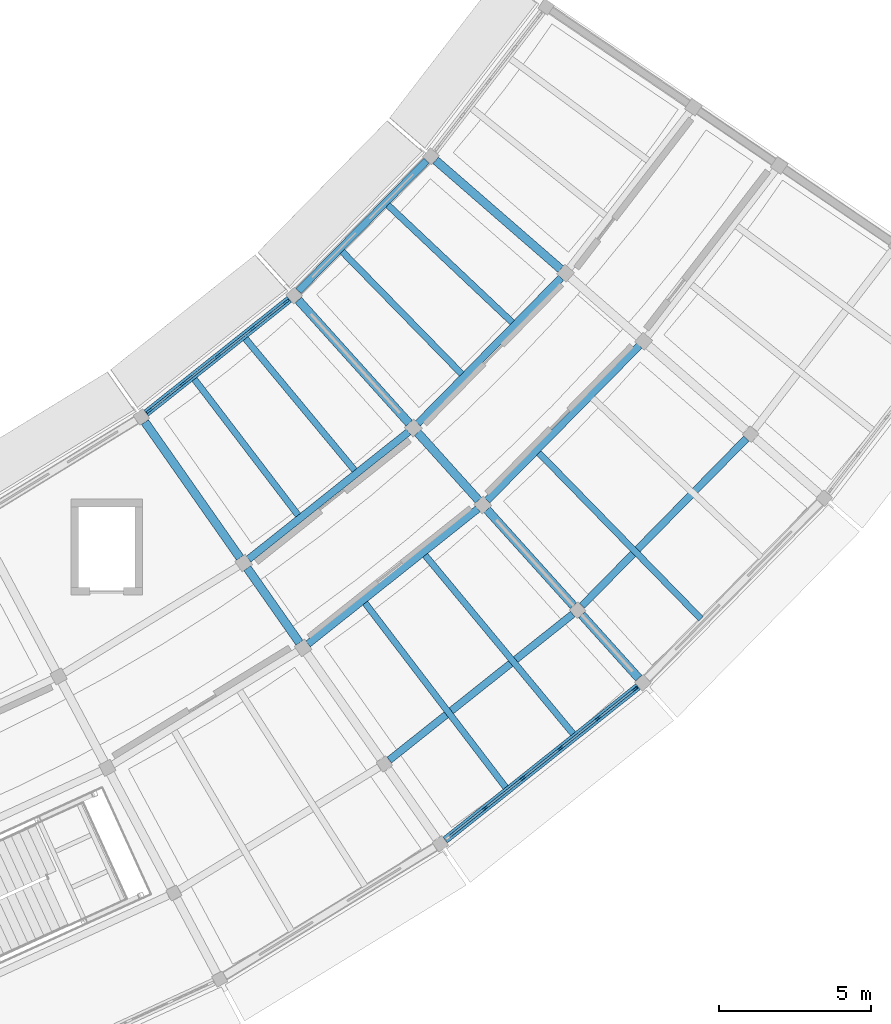
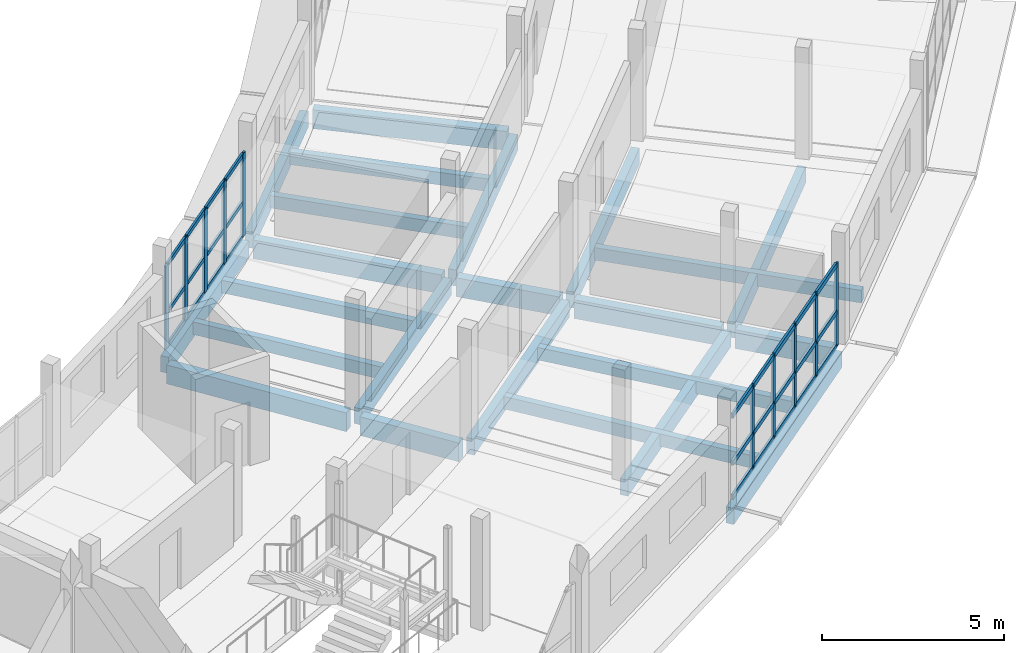
# One storey, part 31 of 77: 37 members, 23 beams, 2 elements without a shape of their own.
"""IFC4 building model written with IfcOpenShell, lengths in metres."""

from ifc_helpers import new_model, si_unit, direction, frame, origin, origin_2d, place, context, subcontext, project, spatial, rectangle, extrude, material, layer, layer_set, material_profile, profile_set, type_object, element, aggregate, save


model = new_model("IFC4")

# Units and contexts
model_context = context("Model", 3, precision=1e-05, world=origin(), true_north=direction((0.0, 1.0)))
body_context = subcontext(model_context, "Body", "Model", "MODEL_VIEW")
ifc_project = project(units=[si_unit("LENGTHUNIT", "METRE"), si_unit("AREAUNIT", "SQUARE_METRE"), si_unit("VOLUMEUNIT", "CUBIC_METRE"), si_unit("PLANEANGLEUNIT", "RADIAN"), si_unit("MASSUNIT", "GRAM", prefix="KILO")], contexts=[model_context])

# Site, building, storey
site_placement = place(None, origin())
site = spatial("IfcSite", under=ifc_project, at=site_placement, CompositionType="ELEMENT")
building_placement = place(site_placement, origin())
building = spatial("IfcBuilding", under=site, at=building_placement, Name="Caldaven Crescent School", CompositionType="ELEMENT")
storey_placement = place(building_placement, frame((0.0, 0.0, 4.419921875)))
storey = spatial("IfcBuildingStorey", under=building, at=storey_placement, Name="L01", CompositionType="ELEMENT", Elevation=4.419921875)

# Beams
ifc_material_1 = material(Name="Glulam MLE24h (GL28h)", Category="wood")
ifc_material_profile_1 = material_profile(ifc_material_1, rectangle(XDim=0.239990234375, YDim=0.5400390625, at=origin_2d()), Name="MLE 240x540")
ifc_profile_set_1 = profile_set([ifc_material_profile_1], Name="Glulam MLE24h (GL28h)")
beam_type_1 = type_object("IfcBeamType", Name="BM-GL54", PredefinedType="BEAM", material=ifc_profile_set_1)
beam_1_placement = place(storey_placement, frame((121.599853515625, 48.37109375, -0.489990234375), z_axis=(0.782609113445, 0.622513434034, 0.0), x_axis=(-0.622513434034, 0.782609113445, 0.0)))
element("IfcBeam", 1, at=beam_1_placement, inside=storey, type_object=beam_type_1, Name="BMT-V4E-L01-1109", PredefinedType="BEAM", context=body_context, shape_type="SweptSolid", body=[
    extrude(rectangle(XDim=0.239990234375, YDim=0.5400390625, at=origin_2d()), origin(), (0.0, 0.0, 1.0), 6.708251953125),
])
beam_2_placement = place(storey_placement, frame((123.550048828125, 45.5859375, -0.489990234375), z_axis=(0.782621166449, 0.622498280982, 0.0), x_axis=(-0.622498280982, 0.782621166449, 0.0)))
element("IfcBeam", 2, at=beam_2_placement, inside=storey, type_object=beam_type_1, Name="BMT-V4E-L01-1110", PredefinedType="BEAM", context=body_context, shape_type="SweptSolid", body=[
    extrude(rectangle(XDim=0.239990234375, YDim=0.5400390625, at=origin_2d()), origin(), (0.0, 0.0, 1.0), 7.12353515625),
])
beam_3_placement = place(storey_placement, frame((126.21728515625, 41.77685546875, -0.489990234375), z_axis=(0.782603163037, 0.622520914672, 0.0), x_axis=(-0.622520914672, 0.782603163037, 0.0)))
element("IfcBeam", 3, at=beam_3_placement, inside=storey, type_object=beam_type_1, Name="BMT-V4E-L01-1111", PredefinedType="BEAM", context=body_context, shape_type="SweptSolid", body=[
    extrude(rectangle(XDim=0.239990234375, YDim=0.5400390625, at=origin_2d()), origin(), (0.0, 0.0, 1.0), 7.691162109375),
])
beam_4_placement = place(storey_placement, frame((127.154052734375, 52.82080078125, -0.489990234375), z_axis=(0.700911097932, 0.713248647244, 0.0), x_axis=(-0.713248647244, 0.700911097932, 0.0)))
element("IfcBeam", 4, at=beam_4_placement, inside=storey, type_object=beam_type_1, Name="BMT-V4E-L01-1118", PredefinedType="BEAM", context=body_context, shape_type="SweptSolid", body=[
    extrude(rectangle(XDim=0.239990234375, YDim=0.5400390625, at=origin_2d()), origin(), (0.0, 0.0, 1.0), 6.708251953125),
])
beam_5_placement = place(storey_placement, frame((129.428955078125, 50.294189453125, -0.489990234375), z_axis=(0.700910785666, 0.713248954109, 0.0), x_axis=(-0.713248954109, 0.700910785666, 0.0)))
element("IfcBeam", 5, at=beam_5_placement, inside=storey, type_object=beam_type_1, Name="BMT-V4E-L01-1119", PredefinedType="BEAM", context=body_context, shape_type="SweptSolid", body=[
    extrude(rectangle(XDim=0.239990234375, YDim=0.5400390625, at=origin_2d()), origin(), (0.0, 0.0, 1.0), 7.12353515625),
])
beam_6_placement = place(storey_placement, frame((132.54052734375, 46.838623046875, -0.489990234375), z_axis=(0.700921782508, 0.713238147329, 0.0), x_axis=(-0.713238147329, 0.700921782508, 0.0)))
element("IfcBeam", 6, at=beam_6_placement, inside=storey, type_object=beam_type_1, Name="BMT-V4E-L01-1120", PredefinedType="BEAM", context=body_context, shape_type="SweptSolid", body=[
    extrude(rectangle(XDim=0.239990234375, YDim=0.5400390625, at=origin_2d()), origin(), (0.0, 0.0, 1.0), 7.691162109375),
])
ifc_material_profile_2 = material_profile(ifc_material_1, rectangle(XDim=0.280029296875, YDim=0.6298828125, at=origin_2d()), Name="MLE 280x630")
ifc_profile_set_2 = profile_set([ifc_material_profile_2], Name="Glulam MLE24h (GL28h)")
beam_type_2 = type_object("IfcBeamType", Name="BM-GL63", PredefinedType="BEAM", material=ifc_profile_set_2)
beam_7_placement = place(storey_placement, frame((118.20166015625, 52.867431640625, -0.534912109375), z_axis=(0.573600889357, -0.819134921566, 0.0), x_axis=(0.819134921566, 0.573600889357, 0.0)))
element("IfcBeam", 7, at=beam_7_placement, inside=storey, type_object=beam_type_2, Name="BMR-V4E-L01-1078", PredefinedType="BEAM", context=body_context, shape_type="SweptSolid", body=[
    extrude(rectangle(XDim=0.280029296875, YDim=0.6298828125, at=origin_2d()), origin(), (0.0, 0.0, 1.0), 5.43994140625),
])
beam_8_placement = place(storey_placement, frame((121.55712890625, 48.075439453125, -0.534912109375), z_axis=(0.573550025111, -0.819170537004, 0.0), x_axis=(0.819170537004, 0.573550025111, 0.0)))
element("IfcBeam", 8, at=beam_8_placement, inside=storey, type_object=beam_type_2, Name="BMR-V4E-L01-1079", PredefinedType="BEAM", context=body_context, shape_type="SweptSolid", body=[
    extrude(rectangle(XDim=0.280029296875, YDim=0.6298828125, at=origin_2d()), origin(), (0.0, 0.0, 1.0), 2.989990234375),
])
beam_9_placement = place(storey_placement, frame((123.233154296875, 56.86962890625, -0.534912109375), z_axis=(0.669111011515, -0.743162468286, 0.0), x_axis=(0.743162468286, 0.669111011515, 0.0)))
element("IfcBeam", 9, at=beam_9_placement, inside=storey, type_object=beam_type_2, Name="BMR-V4E-L01-1082", PredefinedType="BEAM", context=body_context, shape_type="SweptSolid", body=[
    extrude(rectangle(XDim=0.280029296875, YDim=0.6298828125, at=origin_2d()), origin(), (0.0, 0.0, 1.0), 5.43994140625),
])
beam_10_placement = place(storey_placement, frame((127.1474609375, 52.522216796875, -0.534912109375), z_axis=(0.669149671668, -0.743127658554, 0.0), x_axis=(0.743127658554, 0.669149671668, 0.0)))
element("IfcBeam", 10, at=beam_10_placement, inside=storey, type_object=beam_type_2, Name="BMR-V4E-L01-1083", PredefinedType="BEAM", context=body_context, shape_type="SweptSolid", body=[
    extrude(rectangle(XDim=0.280029296875, YDim=0.6298828125, at=origin_2d()), origin(), (0.0, 0.0, 1.0), 2.989990234375),
])
beam_11_placement = place(storey_placement, frame((129.422607421875, 49.99560546875, -0.534912109375), z_axis=(0.669142861987, -0.743133790277, 0.0), x_axis=(0.743133790277, 0.669142861987, 0.0)))
element("IfcBeam", 11, at=beam_11_placement, inside=storey, type_object=beam_type_2, Name="BMR-V4E-L01-1084", PredefinedType="BEAM", context=body_context, shape_type="SweptSolid", body=[
    extrude(rectangle(XDim=0.280029296875, YDim=0.6298828125, at=origin_2d()), origin(), (0.0, 0.0, 1.0), 4.239990234375),
])
beam_12_placement = place(storey_placement, frame((132.533935546875, 46.5400390625, -0.534912109375), z_axis=(0.669124249402, -0.743150549258, 0.0), x_axis=(0.743150549258, 0.669124249402, 0.0)))
element("IfcBeam", 12, at=beam_12_placement, inside=storey, type_object=beam_type_2, Name="BMR-V4E-L01-1085", PredefinedType="BEAM", context=body_context, shape_type="SweptSolid", body=[
    extrude(rectangle(XDim=0.280029296875, YDim=0.6298828125, at=origin_2d()), origin(), (0.0, 0.0, 1.0), 2.7900390625),
])
beam_13_placement = place(storey_placement, frame((127.7392578125, 61.455322265625, -0.534912109375), z_axis=(0.754705026579, -0.656064267322, 0.0), x_axis=(0.656064267322, 0.754705026579, 0.0)))
element("IfcBeam", 13, at=beam_13_placement, inside=storey, type_object=beam_type_2, Name="BMR-V4E-L01-1086", PredefinedType="BEAM", context=body_context, shape_type="SweptSolid", body=[
    extrude(rectangle(XDim=0.280029296875, YDim=0.6298828125, at=origin_2d()), origin(), (0.0, 0.0, 1.0), 5.440185546875),
])

# Curtain wall, members
ifc_material_2 = material(Name="Anodised aluminium AA 6063-T6 and low-E double glazing", Category="aluminium")
ifc_layer_1 = layer(ifc_material_2, 0.169921875)
ifc_layer_set_1 = layer_set([ifc_layer_1], Name="Anodised aluminium AA 6063-T6 and low-E double glazing")
curtain_wall_type_1 = type_object("IfcCurtainWallType", Name="CW-SYS1", PredefinedType="NOTDEFINED", material=ifc_layer_set_1)
curtain_wall_1_placement = place(storey_placement, origin())
curtain_wall_1 = element("IfcCurtainWall", 14, at=curtain_wall_1_placement, inside=storey, type_object=curtain_wall_type_1, Name="CW-L01-133", PredefinedType="NOTDEFINED")
ifc_material_3 = material(Name="Anodised aluminium AA 6063-T6", Category="aluminium")
ifc_material_profile_3 = material_profile(ifc_material_3, rectangle(XDim=0.06494140625, YDim=0.179931640625, at=origin_2d()), Name="CWM 65x180")
ifc_profile_set_3 = profile_set([ifc_material_profile_3], Name="Anodised aluminium AA 6063-T6")
member_type_1 = type_object("IfcMemberType", Name="CWM-T2", PredefinedType="MULLION", material=ifc_profile_set_3)
member_1_placement = place(storey_placement, frame((129.3623046875, 40.197265625, 0.0), z_axis=(0.0, 0.0, 1.0), x_axis=(-0.622514235279, 0.782608476107, 0.0)))
member_1 = element("IfcMember", 15, at=member_1_placement, type_object=member_type_1, Name="CW1 mullion 2", PredefinedType="MULLION", context=body_context, shape_type="SweptSolid", body=[
    extrude(rectangle(XDim=0.06494140625, YDim=0.179931640625, at=origin_2d()), origin(), (0.0, 0.0, 1.0), 2.780029296875),
])
member_2_placement = place(storey_placement, frame((130.597412109375, 41.179931640625, 0.0), z_axis=(0.0, 0.0, 1.0), x_axis=(-0.622514235279, 0.782608476107, 0.0)))
member_2 = element("IfcMember", 16, at=member_2_placement, type_object=member_type_1, Name="CW1 mullion 3", PredefinedType="MULLION", context=body_context, shape_type="SweptSolid", body=[
    extrude(rectangle(XDim=0.06494140625, YDim=0.179931640625, at=origin_2d()), origin(), (0.0, 0.0, 1.0), 2.780029296875),
])
member_3_placement = place(storey_placement, frame((131.832763671875, 42.162353515625, 0.0), z_axis=(0.0, 0.0, 1.0), x_axis=(-0.622514235279, 0.782608476107, 0.0)))
member_3 = element("IfcMember", 17, at=member_3_placement, type_object=member_type_1, Name="CW1 mullion 4", PredefinedType="MULLION", context=body_context, shape_type="SweptSolid", body=[
    extrude(rectangle(XDim=0.06494140625, YDim=0.179931640625, at=origin_2d()), origin(), (0.0, 0.0, 1.0), 2.780029296875),
])
member_4_placement = place(storey_placement, frame((133.068115234375, 43.14501953125, 0.0), z_axis=(0.0, 0.0, 1.0), x_axis=(-0.622514235279, 0.782608476107, 0.0)))
member_4 = element("IfcMember", 18, at=member_4_placement, type_object=member_type_1, Name="CW1 mullion 5", PredefinedType="MULLION", context=body_context, shape_type="SweptSolid", body=[
    extrude(rectangle(XDim=0.06494140625, YDim=0.179931640625, at=origin_2d()), origin(), (0.0, 0.0, 1.0), 2.780029296875),
])
member_5_placement = place(storey_placement, frame((134.27783203125, 44.107177734375, 0.0), z_axis=(0.0, 0.0, 1.0), x_axis=(-0.622514235279, 0.782608476107, 0.0)))
member_5 = element("IfcMember", 19, at=member_5_placement, type_object=member_type_1, Name="CW1 mullion 6", PredefinedType="MULLION", context=body_context, shape_type="SweptSolid", body=[
    extrude(rectangle(XDim=0.06494140625, YDim=0.179931640625, at=origin_2d()), origin(), (0.0, 0.0, 1.0), 2.780029296875),
])

ifc_layer_2 = layer(ifc_material_2, 0.2099609375)
ifc_layer_set_2 = layer_set([ifc_layer_2], Name="Anodised aluminium AA 6063-T6 and low-E double glazing")
curtain_wall_type_2 = type_object("IfcCurtainWallType", Name="CW-SYS3", PredefinedType="NOTDEFINED", material=ifc_layer_set_2)
curtain_wall_2_placement = place(storey_placement, origin())
curtain_wall_2 = element("IfcCurtainWall", 20, at=curtain_wall_2_placement, inside=storey, type_object=curtain_wall_type_2, Name="CW-L01-132", PredefinedType="NOTDEFINED")
ifc_material_profile_4 = material_profile(ifc_material_3, rectangle(XDim=0.070068359375, YDim=0.2099609375, at=origin_2d()), Name="CWM 70x210")
ifc_profile_set_4 = profile_set([ifc_material_profile_4], Name="Anodised aluminium AA 6063-T6")
member_type_2 = type_object("IfcMemberType", Name="CWM-T3", PredefinedType="MULLION", material=ifc_profile_set_4)
member_6_placement = place(storey_placement, frame((118.34619140625, 53.243896484375, 0.0), z_axis=(0.0, 0.0, 1.0), x_axis=(-0.622514764063, 0.782608055493, 0.0)))
member_6 = element("IfcMember", 21, at=member_6_placement, type_object=member_type_2, Name="CW3 mullion 1", PredefinedType="MULLION", context=body_context, shape_type="SweptSolid", body=[
    extrude(rectangle(XDim=0.070068359375, YDim=0.2099609375, at=origin_2d()), origin(), (0.0, 0.0, 1.0), 2.780029296875),
])
member_7_placement = place(storey_placement, frame((119.454345703125, 54.12548828125, 0.0), z_axis=(0.0, 0.0, 1.0), x_axis=(-0.622514764063, 0.782608055493, 0.0)))
member_7 = element("IfcMember", 22, at=member_7_placement, type_object=member_type_2, Name="CW3 mullion 2", PredefinedType="MULLION", context=body_context, shape_type="SweptSolid", body=[
    extrude(rectangle(XDim=0.070068359375, YDim=0.2099609375, at=origin_2d()), origin(), (0.0, 0.0, 1.0), 2.780029296875),
])
member_8_placement = place(storey_placement, frame((120.590087890625, 55.02880859375, 0.0), z_axis=(0.0, 0.0, 1.0), x_axis=(-0.622514764063, 0.782608055493, 0.0)))
member_8 = element("IfcMember", 23, at=member_8_placement, type_object=member_type_2, Name="CW3 mullion 3", PredefinedType="MULLION", context=body_context, shape_type="SweptSolid", body=[
    extrude(rectangle(XDim=0.070068359375, YDim=0.2099609375, at=origin_2d()), origin(), (0.0, 0.0, 1.0), 2.780029296875),
])
member_9_placement = place(storey_placement, frame((121.7255859375, 55.93212890625, 0.0), z_axis=(0.0, 0.0, 1.0), x_axis=(-0.622514764063, 0.782608055493, 0.0)))
member_9 = element("IfcMember", 24, at=member_9_placement, type_object=member_type_2, Name="CW3 mullion 4", PredefinedType="MULLION", context=body_context, shape_type="SweptSolid", body=[
    extrude(rectangle(XDim=0.070068359375, YDim=0.2099609375, at=origin_2d()), origin(), (0.0, 0.0, 1.0), 2.780029296875),
])
member_10_placement = place(storey_placement, frame((122.833740234375, 56.8134765625, 0.0), z_axis=(0.0, 0.0, 1.0), x_axis=(-0.622514764063, 0.782608055493, 0.0)))
member_10 = element("IfcMember", 25, at=member_10_placement, type_object=member_type_2, Name="CW3 mullion 5", PredefinedType="MULLION", context=body_context, shape_type="SweptSolid", body=[
    extrude(rectangle(XDim=0.070068359375, YDim=0.2099609375, at=origin_2d()), origin(), (0.0, 0.0, 1.0), 2.780029296875),
])
ifc_material_profile_5 = material_profile(ifc_material_3, rectangle(XDim=0.06494140625, YDim=0.139892578125, at=origin_2d()), Name="CWT 65x140")
ifc_profile_set_5 = profile_set([ifc_material_profile_5], Name="Anodised aluminium AA 6063-T6")
member_type_3 = type_object("IfcMemberType", Name="CWT-T2", PredefinedType="USERDEFINED", material=ifc_profile_set_5)
member_11_placement = place(storey_placement, frame((118.37353515625, 53.265869140625, 0.032470703125), z_axis=(0.78263519359, 0.622480645284, 0.0), x_axis=(-0.622480645284, 0.78263519359, 0.0)))
member_11 = element("IfcMember", 26, at=member_11_placement, type_object=member_type_3, Name="CW3 transom 1.1", ObjectType="TRANSOM", PredefinedType="USERDEFINED", context=body_context, shape_type="SweptSolid", body=[
    extrude(rectangle(XDim=0.06494140625, YDim=0.139892578125, at=origin_2d()), origin(), (0.0, 0.0, 1.0), 1.345947265625),
])
member_12_placement = place(storey_placement, frame((118.37353515625, 53.265869140625, 1.16796875), z_axis=(0.78263519359, 0.622480645284, 0.0), x_axis=(-0.622480645284, 0.78263519359, 0.0)))
member_12 = element("IfcMember", 27, at=member_12_placement, type_object=member_type_3, Name="CW3 transom 1.2", ObjectType="TRANSOM", PredefinedType="USERDEFINED", context=body_context, shape_type="SweptSolid", body=[
    extrude(rectangle(XDim=0.06494140625, YDim=0.139892578125, at=origin_2d()), origin(), (0.0, 0.0, 1.0), 1.345947265625),
])
member_13_placement = place(storey_placement, frame((118.37353515625, 53.265869140625, 2.74755859375), z_axis=(0.78263519359, 0.622480645284, 0.0), x_axis=(-0.622480645284, 0.78263519359, 0.0)))
member_13 = element("IfcMember", 28, at=member_13_placement, type_object=member_type_3, Name="CW3 transom 1.3", ObjectType="TRANSOM", PredefinedType="USERDEFINED", context=body_context, shape_type="SweptSolid", body=[
    extrude(rectangle(XDim=0.06494140625, YDim=0.139892578125, at=origin_2d()), origin(), (0.0, 0.0, 1.0), 1.345947265625),
])
member_14_placement = place(storey_placement, frame((119.48193359375, 54.147216796875, 0.032470703125), z_axis=(0.782487504126, 0.622666287739, 0.0), x_axis=(-0.622666287739, 0.782487504126, 0.0)))
member_14 = element("IfcMember", 29, at=member_14_placement, type_object=member_type_3, Name="CW3 transom 2.1", ObjectType="TRANSOM", PredefinedType="USERDEFINED", context=body_context, shape_type="SweptSolid", body=[
    extrude(rectangle(XDim=0.06494140625, YDim=0.139892578125, at=origin_2d()), origin(), (0.0, 0.0, 1.0), 1.380859375),
])
member_15_placement = place(storey_placement, frame((119.48193359375, 54.147216796875, 1.16796875), z_axis=(0.782487504126, 0.622666287739, 0.0), x_axis=(-0.622666287739, 0.782487504126, 0.0)))
member_15 = element("IfcMember", 30, at=member_15_placement, type_object=member_type_3, Name="CW3 transom 2.2", ObjectType="TRANSOM", PredefinedType="USERDEFINED", context=body_context, shape_type="SweptSolid", body=[
    extrude(rectangle(XDim=0.06494140625, YDim=0.139892578125, at=origin_2d()), origin(), (0.0, 0.0, 1.0), 1.380859375),
])
member_16_placement = place(storey_placement, frame((119.48193359375, 54.147216796875, 2.74755859375), z_axis=(0.782487504126, 0.622666287739, 0.0), x_axis=(-0.622666287739, 0.782487504126, 0.0)))
member_16 = element("IfcMember", 31, at=member_16_placement, type_object=member_type_3, Name="CW3 transom 2.3", ObjectType="TRANSOM", PredefinedType="USERDEFINED", context=body_context, shape_type="SweptSolid", body=[
    extrude(rectangle(XDim=0.06494140625, YDim=0.139892578125, at=origin_2d()), origin(), (0.0, 0.0, 1.0), 1.380859375),
])
member_17_placement = place(storey_placement, frame((120.617431640625, 55.050537109375, 0.032470703125), z_axis=(0.782642159543, 0.622471887, 0.0), x_axis=(-0.622471887, 0.782642159543, 0.0)))
member_17 = element("IfcMember", 32, at=member_17_placement, type_object=member_type_3, Name="CW3 transom 3.1", ObjectType="TRANSOM", PredefinedType="USERDEFINED", context=body_context, shape_type="SweptSolid", body=[
    extrude(rectangle(XDim=0.06494140625, YDim=0.139892578125, at=origin_2d()), origin(), (0.0, 0.0, 1.0), 1.380859375),
])
member_18_placement = place(storey_placement, frame((120.617431640625, 55.050537109375, 1.16796875), z_axis=(0.782642159543, 0.622471887, 0.0), x_axis=(-0.622471887, 0.782642159543, 0.0)))
member_18 = element("IfcMember", 33, at=member_18_placement, type_object=member_type_3, Name="CW3 transom 3.2", ObjectType="TRANSOM", PredefinedType="USERDEFINED", context=body_context, shape_type="SweptSolid", body=[
    extrude(rectangle(XDim=0.06494140625, YDim=0.139892578125, at=origin_2d()), origin(), (0.0, 0.0, 1.0), 1.380859375),
])
member_19_placement = place(storey_placement, frame((120.617431640625, 55.050537109375, 2.74755859375), z_axis=(0.782642159543, 0.622471887, 0.0), x_axis=(-0.622471887, 0.782642159543, 0.0)))
member_19 = element("IfcMember", 34, at=member_19_placement, type_object=member_type_3, Name="CW3 transom 3.3", ObjectType="TRANSOM", PredefinedType="USERDEFINED", context=body_context, shape_type="SweptSolid", body=[
    extrude(rectangle(XDim=0.06494140625, YDim=0.139892578125, at=origin_2d()), origin(), (0.0, 0.0, 1.0), 1.380859375),
])
member_20_placement = place(storey_placement, frame((121.7529296875, 55.953857421875, 0.032470703125), z_axis=(0.78263519359, 0.622480645284, 0.0), x_axis=(-0.622480645284, 0.78263519359, 0.0)))
member_20 = element("IfcMember", 35, at=member_20_placement, type_object=member_type_3, Name="CW3 transom 4.1", ObjectType="TRANSOM", PredefinedType="USERDEFINED", context=body_context, shape_type="SweptSolid", body=[
    extrude(rectangle(XDim=0.06494140625, YDim=0.139892578125, at=origin_2d()), origin(), (0.0, 0.0, 1.0), 1.345947265625),
])
member_21_placement = place(storey_placement, frame((121.7529296875, 55.953857421875, 1.16796875), z_axis=(0.78263519359, 0.622480645284, 0.0), x_axis=(-0.622480645284, 0.78263519359, 0.0)))
member_21 = element("IfcMember", 36, at=member_21_placement, type_object=member_type_3, Name="CW3 transom 4.2", ObjectType="TRANSOM", PredefinedType="USERDEFINED", context=body_context, shape_type="SweptSolid", body=[
    extrude(rectangle(XDim=0.06494140625, YDim=0.139892578125, at=origin_2d()), origin(), (0.0, 0.0, 1.0), 1.345947265625),
])
member_22_placement = place(storey_placement, frame((121.7529296875, 55.953857421875, 2.74755859375), z_axis=(0.78263519359, 0.622480645284, 0.0), x_axis=(-0.622480645284, 0.78263519359, 0.0)))
member_22 = element("IfcMember", 37, at=member_22_placement, type_object=member_type_3, Name="CW3 transom 4.3", ObjectType="TRANSOM", PredefinedType="USERDEFINED", context=body_context, shape_type="SweptSolid", body=[
    extrude(rectangle(XDim=0.06494140625, YDim=0.139892578125, at=origin_2d()), origin(), (0.0, 0.0, 1.0), 1.345947265625),
])
aggregate(curtain_wall_2, [member_6, member_7, member_8, member_9, member_10, member_11, member_12, member_13, member_14, member_15, member_16, member_17, member_18, member_19, member_20, member_21, member_22])

# Member
ifc_material_profile_6 = material_profile(ifc_material_3, rectangle(XDim=0.070068359375, YDim=0.159912109375, at=origin_2d()), Name="CWT 70x160")
ifc_profile_set_6 = profile_set([ifc_material_profile_6], Name="Anodised aluminium AA 6063-T6")
member_type_4 = type_object("IfcMemberType", Name="CWT-T3", PredefinedType="USERDEFINED", material=ifc_profile_set_6)
member_23_placement = place(storey_placement, frame((128.177978515625, 39.255126953125, 0.03515625), z_axis=(0.782602879605, 0.62252127099, 0.0), x_axis=(-0.62252127099, 0.782602879605, 0.0)))
member_23 = element("IfcMember", 38, at=member_23_placement, type_object=member_type_4, Name="CW1 transom 1.1", ObjectType="TRANSOM", PredefinedType="USERDEFINED", context=body_context, shape_type="SweptSolid", body=[
    extrude(rectangle(XDim=0.070068359375, YDim=0.159912109375, at=origin_2d()), origin(), (0.0, 0.0, 1.0), 1.48095703125),
])

member_24_placement = place(storey_placement, frame((128.177978515625, 39.255126953125, 1.16796875), z_axis=(0.782602879605, 0.62252127099, 0.0), x_axis=(-0.62252127099, 0.782602879605, 0.0)))
member_24 = element("IfcMember", 39, at=member_24_placement, type_object=member_type_4, Name="CW1 transom 1.2", ObjectType="TRANSOM", PredefinedType="USERDEFINED", context=body_context, shape_type="SweptSolid", body=[
    extrude(rectangle(XDim=0.070068359375, YDim=0.159912109375, at=origin_2d()), origin(), (0.0, 0.0, 1.0), 1.48095703125),
])

member_25_placement = place(storey_placement, frame((128.177978515625, 39.255126953125, 2.7451171875), z_axis=(0.782602879605, 0.62252127099, 0.0), x_axis=(-0.62252127099, 0.782602879605, 0.0)))
member_25 = element("IfcMember", 40, at=member_25_placement, type_object=member_type_4, Name="CW1 transom 1.3", ObjectType="TRANSOM", PredefinedType="USERDEFINED", context=body_context, shape_type="SweptSolid", body=[
    extrude(rectangle(XDim=0.070068359375, YDim=0.159912109375, at=origin_2d()), origin(), (0.0, 0.0, 1.0), 1.48095703125),
])

member_26_placement = place(storey_placement, frame((129.3876953125, 40.217529296875, 0.03515625), z_axis=(0.782581405056, 0.622548266772, 0.0), x_axis=(-0.622548266772, 0.782581405056, 0.0)))
member_26 = element("IfcMember", 41, at=member_26_placement, type_object=member_type_4, Name="CW1 transom 2.1", ObjectType="TRANSOM", PredefinedType="USERDEFINED", context=body_context, shape_type="SweptSolid", body=[
    extrude(rectangle(XDim=0.070068359375, YDim=0.159912109375, at=origin_2d()), origin(), (0.0, 0.0, 1.0), 1.513427734375),
])

member_27_placement = place(storey_placement, frame((129.3876953125, 40.217529296875, 1.16796875), z_axis=(0.782581405056, 0.622548266772, 0.0), x_axis=(-0.622548266772, 0.782581405056, 0.0)))
member_27 = element("IfcMember", 42, at=member_27_placement, type_object=member_type_4, Name="CW1 transom 2.2", ObjectType="TRANSOM", PredefinedType="USERDEFINED", context=body_context, shape_type="SweptSolid", body=[
    extrude(rectangle(XDim=0.070068359375, YDim=0.159912109375, at=origin_2d()), origin(), (0.0, 0.0, 1.0), 1.513427734375),
])

member_28_placement = place(storey_placement, frame((129.3876953125, 40.217529296875, 2.7451171875), z_axis=(0.782581405056, 0.622548266772, 0.0), x_axis=(-0.622548266772, 0.782581405056, 0.0)))
member_28 = element("IfcMember", 43, at=member_28_placement, type_object=member_type_4, Name="CW1 transom 2.3", ObjectType="TRANSOM", PredefinedType="USERDEFINED", context=body_context, shape_type="SweptSolid", body=[
    extrude(rectangle(XDim=0.070068359375, YDim=0.159912109375, at=origin_2d()), origin(), (0.0, 0.0, 1.0), 1.513427734375),
])

member_29_placement = place(storey_placement, frame((130.623046875, 41.2001953125, 0.03515625), z_axis=(0.782660002777, 0.622449451806, 0.0), x_axis=(-0.622449451806, 0.782660002777, 0.0)))
member_29 = element("IfcMember", 44, at=member_29_placement, type_object=member_type_4, Name="CW1 transom 3.1", ObjectType="TRANSOM", PredefinedType="USERDEFINED", context=body_context, shape_type="SweptSolid", body=[
    extrude(rectangle(XDim=0.070068359375, YDim=0.159912109375, at=origin_2d()), origin(), (0.0, 0.0, 1.0), 1.51318359375),
])

member_30_placement = place(storey_placement, frame((130.623046875, 41.2001953125, 1.16796875), z_axis=(0.782660002777, 0.622449451806, 0.0), x_axis=(-0.622449451806, 0.782660002777, 0.0)))
member_30 = element("IfcMember", 45, at=member_30_placement, type_object=member_type_4, Name="CW1 transom 3.2", ObjectType="TRANSOM", PredefinedType="USERDEFINED", context=body_context, shape_type="SweptSolid", body=[
    extrude(rectangle(XDim=0.070068359375, YDim=0.159912109375, at=origin_2d()), origin(), (0.0, 0.0, 1.0), 1.51318359375),
])

member_31_placement = place(storey_placement, frame((130.623046875, 41.2001953125, 2.7451171875), z_axis=(0.782660002777, 0.622449451806, 0.0), x_axis=(-0.622449451806, 0.782660002777, 0.0)))
member_31 = element("IfcMember", 46, at=member_31_placement, type_object=member_type_4, Name="CW1 transom 3.3", ObjectType="TRANSOM", PredefinedType="USERDEFINED", context=body_context, shape_type="SweptSolid", body=[
    extrude(rectangle(XDim=0.070068359375, YDim=0.159912109375, at=origin_2d()), origin(), (0.0, 0.0, 1.0), 1.51318359375),
])

member_32_placement = place(storey_placement, frame((131.858154296875, 42.1826171875, 0.03515625), z_axis=(0.782581405056, 0.622548266772, 0.0), x_axis=(-0.622548266772, 0.782581405056, 0.0)))
member_32 = element("IfcMember", 47, at=member_32_placement, type_object=member_type_4, Name="CW1 transom 4.1", ObjectType="TRANSOM", PredefinedType="USERDEFINED", context=body_context, shape_type="SweptSolid", body=[
    extrude(rectangle(XDim=0.070068359375, YDim=0.159912109375, at=origin_2d()), origin(), (0.0, 0.0, 1.0), 1.513427734375),
])

member_33_placement = place(storey_placement, frame((131.858154296875, 42.1826171875, 1.16796875), z_axis=(0.782581405056, 0.622548266772, 0.0), x_axis=(-0.622548266772, 0.782581405056, 0.0)))
member_33 = element("IfcMember", 48, at=member_33_placement, type_object=member_type_4, Name="CW1 transom 4.2", ObjectType="TRANSOM", PredefinedType="USERDEFINED", context=body_context, shape_type="SweptSolid", body=[
    extrude(rectangle(XDim=0.070068359375, YDim=0.159912109375, at=origin_2d()), origin(), (0.0, 0.0, 1.0), 1.513427734375),
])

member_34_placement = place(storey_placement, frame((131.858154296875, 42.1826171875, 2.7451171875), z_axis=(0.782581405056, 0.622548266772, 0.0), x_axis=(-0.622548266772, 0.782581405056, 0.0)))
member_34 = element("IfcMember", 49, at=member_34_placement, type_object=member_type_4, Name="CW1 transom 4.3", ObjectType="TRANSOM", PredefinedType="USERDEFINED", context=body_context, shape_type="SweptSolid", body=[
    extrude(rectangle(XDim=0.070068359375, YDim=0.159912109375, at=origin_2d()), origin(), (0.0, 0.0, 1.0), 1.513427734375),
])

member_35_placement = place(storey_placement, frame((133.093505859375, 43.165283203125, 0.03515625), z_axis=(0.782602879605, 0.62252127099, 0.0), x_axis=(-0.62252127099, 0.782602879605, 0.0)))
member_35 = element("IfcMember", 50, at=member_35_placement, type_object=member_type_4, Name="CW1 transom 5.1", ObjectType="TRANSOM", PredefinedType="USERDEFINED", context=body_context, shape_type="SweptSolid", body=[
    extrude(rectangle(XDim=0.070068359375, YDim=0.159912109375, at=origin_2d()), origin(), (0.0, 0.0, 1.0), 1.48095703125),
])

member_36_placement = place(storey_placement, frame((133.093505859375, 43.165283203125, 1.16796875), z_axis=(0.782602879605, 0.62252127099, 0.0), x_axis=(-0.62252127099, 0.782602879605, 0.0)))
member_36 = element("IfcMember", 51, at=member_36_placement, type_object=member_type_4, Name="CW1 transom 5.2", ObjectType="TRANSOM", PredefinedType="USERDEFINED", context=body_context, shape_type="SweptSolid", body=[
    extrude(rectangle(XDim=0.070068359375, YDim=0.159912109375, at=origin_2d()), origin(), (0.0, 0.0, 1.0), 1.48095703125),
])

member_37_placement = place(storey_placement, frame((133.093505859375, 43.165283203125, 2.7451171875), z_axis=(0.782602879605, 0.62252127099, 0.0), x_axis=(-0.62252127099, 0.782602879605, 0.0)))
member_37 = element("IfcMember", 52, at=member_37_placement, type_object=member_type_4, Name="CW1 transom 5.3", ObjectType="TRANSOM", PredefinedType="USERDEFINED", context=body_context, shape_type="SweptSolid", body=[
    extrude(rectangle(XDim=0.070068359375, YDim=0.159912109375, at=origin_2d()), origin(), (0.0, 0.0, 1.0), 1.48095703125),
])

aggregate(curtain_wall_1, [member_1, member_2, member_3, member_4, member_5, member_23, member_24, member_25, member_26, member_27, member_28, member_29, member_30, member_31, member_32, member_33, member_34, member_35, member_36, member_37])

# Beams
ifc_material_profile_7 = material_profile(ifc_material_1, rectangle(XDim=0.2099609375, YDim=0.419921875, at=origin_2d()), Name="MLE 210x420")
ifc_profile_set_7 = profile_set([ifc_material_profile_7], Name="Glulam MLE24h (GL28h)")
beam_type_3 = type_object("IfcBeamType", Name="JS-GL42", PredefinedType="JOIST", material=ifc_profile_set_7)
beam_14_placement = place(storey_placement, frame((119.824462890625, 54.27294921875, -0.429931640625), z_axis=(0.606441715074, -0.795127943301, 0.0), x_axis=(0.795127943301, 0.606441715074, 0.0)))
element("IfcBeam", 53, at=beam_14_placement, inside=storey, type_object=beam_type_3, Name="JSR-V4E-L01-1113", PredefinedType="JOIST", context=body_context, shape_type="SweptSolid", body=[
    extrude(rectangle(XDim=0.2099609375, YDim=0.419921875, at=origin_2d()), origin(), (0.0, 0.0, 1.0), 5.6103515625),
])
beam_15_placement = place(storey_placement, frame((125.424560546875, 46.93017578125, -0.429931640625), z_axis=(0.606445392969, -0.795125138168, 0.0), x_axis=(0.795125138168, 0.606445392969, 0.0)))
element("IfcBeam", 54, at=beam_15_placement, inside=storey, type_object=beam_type_3, Name="JSR-V4E-L01-1114", PredefinedType="JOIST", context=body_context, shape_type="SweptSolid", body=[
    extrude(rectangle(XDim=0.2099609375, YDim=0.419921875, at=origin_2d()), origin(), (0.0, 0.0, 1.0), 7.607177734375),
])
beam_16_placement = place(storey_placement, frame((121.498779296875, 55.604736328125, -0.429931640625), z_axis=(0.638337756262, -0.769756395836, 0.0), x_axis=(0.769756395836, 0.638337756262, 0.0)))
element("IfcBeam", 55, at=beam_16_placement, inside=storey, type_object=beam_type_3, Name="JSR-V4E-L01-1115", PredefinedType="JOIST", context=body_context, shape_type="SweptSolid", body=[
    extrude(rectangle(XDim=0.2099609375, YDim=0.419921875, at=origin_2d()), origin(), (0.0, 0.0, 1.0), 5.6103515625),
])
beam_17_placement = place(storey_placement, frame((127.3935546875, 48.496337890625, -0.429931640625), z_axis=(0.638316852849, -0.769773729981, 0.0), x_axis=(0.769773729981, 0.638316852849, 0.0)))
element("IfcBeam", 56, at=beam_17_placement, inside=storey, type_object=beam_type_3, Name="JSR-V4E-L01-1116", PredefinedType="JOIST", context=body_context, shape_type="SweptSolid", body=[
    extrude(rectangle(XDim=0.2099609375, YDim=0.419921875, at=origin_2d()), origin(), (0.0, 0.0, 1.0), 7.607177734375),
])
beam_18_placement = place(storey_placement, frame((124.67236328125, 58.46240234375, -0.429931640625), z_axis=(0.698812543593, -0.715304850338, 0.0), x_axis=(0.715304850338, 0.698812543593, 0.0)))
element("IfcBeam", 57, at=beam_18_placement, inside=storey, type_object=beam_type_3, Name="JSR-V4E-L01-1122", PredefinedType="JOIST", context=body_context, shape_type="SweptSolid", body=[
    extrude(rectangle(XDim=0.2099609375, YDim=0.419921875, at=origin_2d()), origin(), (0.0, 0.0, 1.0), 5.6103515625),
])
beam_19_placement = place(storey_placement, frame((131.125732421875, 51.856689453125, -0.429931640625), z_axis=(0.698826608349, -0.715291109593, 0.0), x_axis=(0.715291109593, 0.698826608349, 0.0)))
element("IfcBeam", 58, at=beam_19_placement, inside=storey, type_object=beam_type_3, Name="JSR-V4E-L01-1123", PredefinedType="JOIST", context=body_context, shape_type="SweptSolid", body=[
    extrude(rectangle(XDim=0.2099609375, YDim=0.419921875, at=origin_2d()), origin(), (0.0, 0.0, 1.0), 7.60693359375),
])
beam_20_placement = place(storey_placement, frame((126.171875, 59.98828125, -0.429931640625), z_axis=(0.727411275008, -0.686201746566, 0.0), x_axis=(0.686201746566, 0.727411275008, 0.0)))
element("IfcBeam", 59, at=beam_20_placement, inside=storey, type_object=beam_type_3, Name="JSR-V4E-L01-1124", PredefinedType="JOIST", context=body_context, shape_type="SweptSolid", body=[
    extrude(rectangle(XDim=0.2099609375, YDim=0.419921875, at=origin_2d()), origin(), (0.0, 0.0, 1.0), 5.6103515625),
])
ifc_material_profile_8 = material_profile(ifc_material_1, rectangle(XDim=0.239990234375, YDim=0.5400390625, at=origin_2d()), Name="MLE 240x540")
ifc_profile_set_8 = profile_set([ifc_material_profile_8], Name="Glulam MLE24h (GL28h)")
beam_type_4 = type_object("IfcBeamType", Name="SP-GL54", PredefinedType="SPANDREL", material=ifc_profile_set_8)
beam_21_placement = place(storey_placement, frame((118.24462890625, 53.1630859375, -0.489990234375), z_axis=(0.782598348242, 0.622526967551, 0.0), x_axis=(-0.622526967551, 0.782598348242, 0.0)))
element("IfcBeam", 60, at=beam_21_placement, inside=storey, type_object=beam_type_4, Name="BMT-V4E-L01-1108", PredefinedType="SPANDREL", context=body_context, shape_type="SweptSolid", body=[
    extrude(rectangle(XDim=0.239990234375, YDim=0.5400390625, at=origin_2d()), origin(), (0.0, 0.0, 1.0), 5.994140625),
])
beam_22_placement = place(storey_placement, frame((128.052734375, 39.155517578125, -0.489990234375), z_axis=(0.782598712835, 0.62252650921, 0.0), x_axis=(-0.62252650921, 0.782598712835, 0.0)))
element("IfcBeam", 61, at=beam_22_placement, inside=storey, type_object=beam_type_4, Name="BMT-V4E-L01-1112", PredefinedType="SPANDREL", context=body_context, shape_type="SweptSolid", body=[
    extrude(rectangle(XDim=0.239990234375, YDim=0.5400390625, at=origin_2d()), origin(), (0.0, 0.0, 1.0), 8.08203125),
])
beam_23_placement = place(storey_placement, frame((123.239501953125, 57.168212890625, -0.489990234375), z_axis=(0.700909378847, 0.713250336589, 0.0), x_axis=(-0.713250336589, 0.700909378847, 0.0)))
element("IfcBeam", 62, at=beam_23_placement, inside=storey, type_object=beam_type_4, Name="BMT-V4E-L01-1117", PredefinedType="SPANDREL", context=body_context, shape_type="SweptSolid", body=[
    extrude(rectangle(XDim=0.239990234375, YDim=0.5400390625, at=origin_2d()), origin(), (0.0, 0.0, 1.0), 5.994140625),
])

save(model, "model.ifc")
